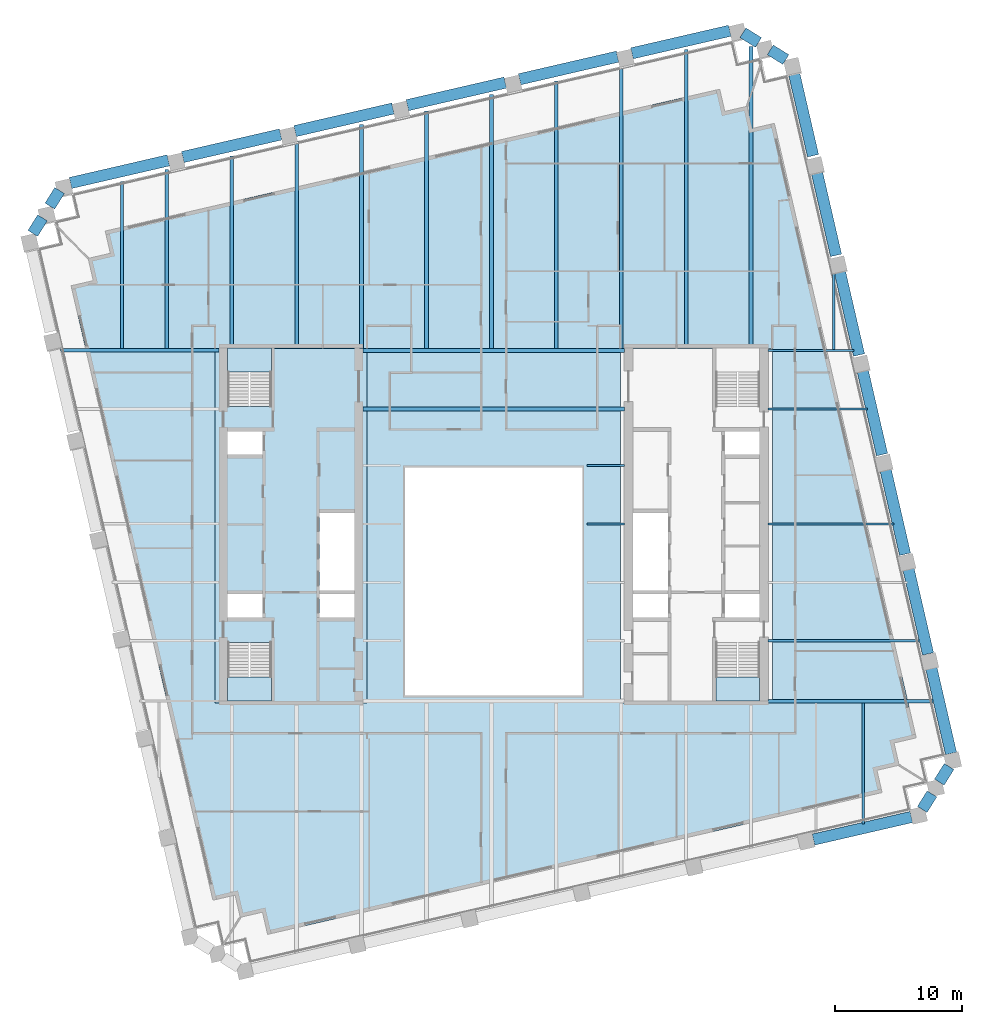
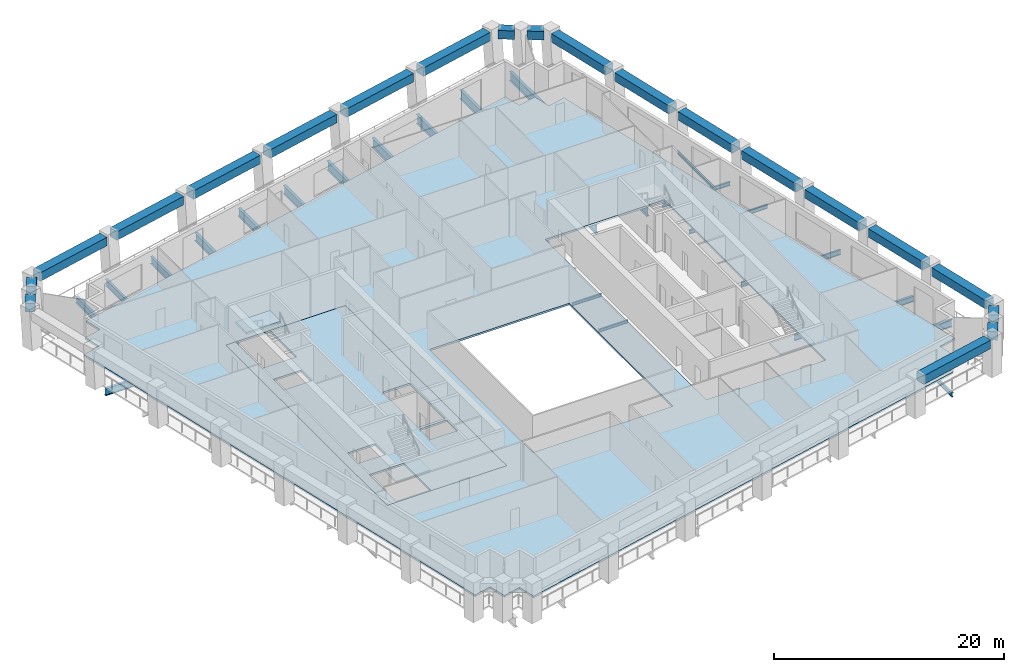
# One storey, part 2 of 11: 43 beams, 5 slabs, 3 elements without a shape of their own.
"""IFC4 building model written with IfcOpenShell, lengths in metres."""

import ifcopenshell
import ifcopenshell.guid

model = None  # the IFC model being written
_history = None  # IfcOwnerHistory: only IFC2X3 demands one
_inside = {}  # id of a spatial element -> (the spatial element, [elements in it])
_under = {}  # id of a project, library or spatial element -> (it, [spatial elements below it])
_declared = {}  # id of a project -> (the project, [libraries it declares])
_typed = {}  # id of a type object -> (the type object, [elements of that type])
_made_of = {}  # id of a material, layer set ... -> (it, [elements and type objects made of it])


def new_model(schema):
    """Start an empty IFC model of exactly this schema.

    Asked for "IFC4X3", IfcOpenShell would pick the latest addendum, in which some entities
    have other attributes; the version numbers below select the first issue.
    IFC2X3 requires an IfcOwnerHistory on every rooted entity: one is made here for all.
    """
    global model, _history
    if schema == "IFC4X3":
        model = ifcopenshell.file(schema_version=(4, 3, 0, 0))
    else:
        model = ifcopenshell.file(schema=schema)
    _inside.clear()
    _under.clear()
    _declared.clear()
    _typed.clear()
    _made_of.clear()
    _history = None
    if model.schema == "IFC2X3":
        org = make("IfcOrganization", Name="unknown")
        user = make(
            "IfcPersonAndOrganization",
            ThePerson=make("IfcPerson", FamilyName="unknown"),
            TheOrganization=org,
        )
        app = make(
            "IfcApplication",
            ApplicationDeveloper=org,
            Version="unknown",
            ApplicationFullName="unknown",
            ApplicationIdentifier="unknown",
        )
        _history = make(
            "IfcOwnerHistory",
            OwningUser=user,
            OwningApplication=app,
            ChangeAction="ADDED",
            CreationDate=0,
        )
    return model


def make(cls, **values):
    """One entity of the class cls with the attributes given. An attribute that is None is left unset."""
    return model.create_entity(
        cls, **{name: value for name, value in values.items() if value is not None}
    )


def rooted(cls, **values):
    """An entity with a GlobalId (a new one), such as an element, a storey or a relation."""
    return make(cls, GlobalId=ifcopenshell.guid.new(), OwnerHistory=_history, **values)


def si_unit(unit_type, name, prefix=None):
    """IfcSIUnit, for example si_unit("LENGTHUNIT", "METRE", prefix="MILLI")."""
    return make("IfcSIUnit", UnitType=unit_type, Prefix=prefix, Name=name)


def assignment(units):
    """IfcUnitAssignment: the units of a project."""
    return None if units is None else make("IfcUnitAssignment", Units=units)


def point(xyz):
    """IfcCartesianPoint."""
    return None if xyz is None else make("IfcCartesianPoint", Coordinates=xyz)


def direction(xyz):
    """IfcDirection."""
    return None if xyz is None else make("IfcDirection", DirectionRatios=xyz)


def frame(location, z_axis=None, x_axis=None):
    """IfcAxis2Placement3D, a coordinate frame: its origin and axes. An axis left out is left unset."""
    return make(
        "IfcAxis2Placement3D",
        Location=point(location),
        Axis=direction(z_axis),
        RefDirection=direction(x_axis),
    )


def frame_2d(location, x_axis=None):
    """IfcAxis2Placement2D, a coordinate frame in the plane: its origin and x axis."""
    return make(
        "IfcAxis2Placement2D", Location=point(location), RefDirection=direction(x_axis)
    )


def origin():
    """The frame at (0, 0, 0) with its axes left unset."""
    return frame((0.0, 0.0, 0.0))


def origin_2d():
    """The frame at (0, 0) in the plane with its x axis left unset."""
    return frame_2d((0.0, 0.0))


def place(relative_to, where):
    """IfcLocalPlacement: puts the frame where relative to a parent placement (None: the world)."""
    return make(
        "IfcLocalPlacement", PlacementRelTo=relative_to, RelativePlacement=where
    )


def context(
    kind, dimensions, precision=None, world=None, true_north=None, identifier=None
):
    """IfcGeometricRepresentationContext, for example the 3D "Model" context."""
    return make(
        "IfcGeometricRepresentationContext",
        ContextIdentifier=identifier,
        ContextType=kind,
        CoordinateSpaceDimension=dimensions,
        Precision=precision,
        WorldCoordinateSystem=world,
        TrueNorth=true_north,
    )


def subcontext(parent, identifier, kind, view, scale=None):
    """IfcGeometricRepresentationSubContext, for example "Body" below "Model"."""
    return make(
        "IfcGeometricRepresentationSubContext",
        ContextIdentifier=identifier,
        ContextType=kind,
        ParentContext=parent,
        TargetScale=scale,
        TargetView=view,
    )


def project(units=None, contexts=None):
    """IfcProject with its units and contexts."""
    return rooted(
        "IfcProject",
        Name="project",
        RepresentationContexts=contexts,
        UnitsInContext=assignment(units),
    )


def spatial(cls, under=None, at=None, **own):
    """A site, building, storey or space (cls), placed at a placement, below another one or the project."""
    s = rooted(cls, ObjectPlacement=at, **own)
    if under is not None:
        _under.setdefault(under.id(), (under, []))[1].append(s)
    return s


def polyline(points):
    """IfcPolyline through the points."""
    return make("IfcPolyline", Points=[point(p) for p in points])


def profile(cls, at=None, kind="AREA", **sizes):
    """A parametric profile (cls). Its sizes go by their IFC names, for example OverallWidth=200.0."""
    return make(cls, ProfileType=kind, Position=at, **sizes)


def rectangle(**sizes):
    """IfcRectangleProfileDef."""
    return profile("IfcRectangleProfileDef", **sizes)


def i_section(**sizes):
    """IfcIShapeProfileDef."""
    return profile("IfcIShapeProfileDef", **sizes)


def outline(outer, holes=None, kind="AREA"):
    """IfcArbitraryClosedProfileDef: a profile drawn as a closed curve; with holes, ...WithVoids."""
    if holes is None:
        return make("IfcArbitraryClosedProfileDef", ProfileType=kind, OuterCurve=outer)
    return make(
        "IfcArbitraryProfileDefWithVoids",
        ProfileType=kind,
        OuterCurve=outer,
        InnerCurves=holes,
    )


def extrude(swept, where, along, depth):
    """IfcExtrudedAreaSolid: the profile swept, set in the frame where, extruded along a direction by depth."""
    return make(
        "IfcExtrudedAreaSolid",
        SweptArea=swept,
        Position=where,
        ExtrudedDirection=direction(along),
        Depth=depth,
    )


def shape(context_of_items, identifier, shape_type, items):
    """IfcShapeRepresentation: the items that make up one representation, for example the "Body"."""
    return make(
        "IfcShapeRepresentation",
        ContextOfItems=context_of_items,
        RepresentationIdentifier=identifier,
        RepresentationType=shape_type,
        Items=items,
    )


def material(Name=None, Category=None):
    """IfcMaterial."""
    return make("IfcMaterial", Name=Name, Category=Category)


def layer(
    of_material, thickness, ventilated=None, Name=None, Category=None, Priority=None
):
    """IfcMaterialLayer: one layer of a wall or slab, of a material (None: an air gap)."""
    return make(
        "IfcMaterialLayer",
        Material=of_material,
        LayerThickness=thickness,
        IsVentilated=ventilated,
        Name=Name,
        Category=Category,
        Priority=Priority,
    )


def layer_set(layers, Name=None):
    """IfcMaterialLayerSet."""
    return make("IfcMaterialLayerSet", MaterialLayers=layers, LayerSetName=Name)


def material_profile(
    of_material, cross_section, Name=None, Category=None, Priority=None
):
    """IfcMaterialProfile: a cross section and its material."""
    return make(
        "IfcMaterialProfile",
        Name=Name,
        Material=of_material,
        Profile=cross_section,
        Priority=Priority,
        Category=Category,
    )


def profile_set(profiles, Name=None, composite=None):
    """IfcMaterialProfileSet."""
    return make(
        "IfcMaterialProfileSet",
        Name=Name,
        MaterialProfiles=profiles,
        CompositeProfile=composite,
    )


def made_of(thing, what):
    """Note that an element or type object is made of a material, layer set ...; save() writes the relation."""
    if what is not None:
        _made_of.setdefault(what.id(), (what, []))[1].append(thing)
    return thing


def type_object(cls, material=None, **own):
    """A type object (cls), such as IfcWallType, which elements share."""
    return made_of(rooted(cls, **own), material)


def element(
    cls,
    number,
    at=None,
    inside=None,
    cuts=None,
    type_object=None,
    material=None,
    context=None,
    identifier="Body",
    shape_type=None,
    held_by="IfcProductDefinitionShape",
    body=None,
    shapes=None,
    **own,
):
    """One element of the class cls, such as IfcWall. Its Tag is "e" and its number.

    at: its placement. inside: the storey or other place that contains it. cuts: it is an
    opening in that element (IfcRelVoidsElement). A single representation is given by context,
    identifier, shape_type and body (its items); several are given by shapes. held_by: the class
    of the entity that holds the representations. save() writes the other relations.
    """
    e = rooted(cls, Tag="e%d" % number, ObjectPlacement=at, **own)
    if body is not None:
        shapes = [shape(context, identifier, shape_type, body)]
    if shapes is not None:
        e.Representation = make(held_by, Representations=shapes)
    if inside is not None:
        _inside.setdefault(inside.id(), (inside, []))[1].append(e)
    if cuts is not None:
        rooted(
            "IfcRelVoidsElement", RelatingBuildingElement=cuts, RelatedOpeningElement=e
        )
    if type_object is not None:
        _typed.setdefault(type_object.id(), (type_object, []))[1].append(e)
    return made_of(e, material)


def aggregate(whole, parts):
    """IfcRelAggregates: a whole, such as a stair, and the parts it consists of."""
    return rooted("IfcRelAggregates", RelatingObject=whole, RelatedObjects=parts)


def save(model, path):
    """Write the relations noted so far, then the file.

    IfcRelAggregates (storeys below a building ...), IfcRelContainedInSpatialStructure (elements
    in a storey), IfcRelDefinesByType, IfcRelAssociatesMaterial and IfcRelDeclares: one each for
    every whole, place, type object, material and project.
    """
    for whole, parts in _under.values():
        aggregate(whole, parts)
    for where, things in _inside.values():
        rooted(
            "IfcRelContainedInSpatialStructure",
            RelatedElements=things,
            RelatingStructure=where,
        )
    for kind, things in _typed.values():
        rooted("IfcRelDefinesByType", RelatedObjects=things, RelatingType=kind)
    for what, things in _made_of.values():
        rooted("IfcRelAssociatesMaterial", RelatedObjects=things, RelatingMaterial=what)
    for by, libraries in _declared.values():
        rooted("IfcRelDeclares", RelatingContext=by, RelatedDefinitions=libraries)
    model.write(path)


model = new_model("IFC4")

# Units and contexts
model_context = context("Model", 3, precision=1e-05, world=origin(), true_north=direction((0.0, 1.0)))
body_context = subcontext(model_context, "Body", "Model", "MODEL_VIEW")
ifc_project = project(units=[si_unit("LENGTHUNIT", "METRE"), si_unit("AREAUNIT", "SQUARE_METRE"), si_unit("VOLUMEUNIT", "CUBIC_METRE"), si_unit("PLANEANGLEUNIT", "RADIAN"), si_unit("MASSUNIT", "GRAM", prefix="KILO")], contexts=[model_context])

# Site, building, storey
site_placement = place(None, origin())
site = spatial("IfcSite", under=ifc_project, at=site_placement, CompositionType="ELEMENT")
building_placement = place(site_placement, origin())
building = spatial("IfcBuilding", under=site, at=building_placement, Name="Ogive Exchange Tower", CompositionType="ELEMENT")
storey_placement = place(building_placement, frame((0.0, 0.0, 184.199951171875)))
storey = spatial("IfcBuildingStorey", under=building, at=storey_placement, Name="L40", CompositionType="ELEMENT", Elevation=184.199951171875)

# Beams
ifc_material_1 = material(Name="Steel ASTM A992 Gr50", Category="steel")
ifc_material_profile_1 = material_profile(ifc_material_1, i_section(OverallWidth=0.300048828125, OverallDepth=0.969970703125, WebThickness=0.01611328125, FlangeThickness=0.02099609375, at=origin_2d()), Name="W1000x222")
ifc_profile_set_1 = profile_set([ifc_material_profile_1], Name="Steel ASTM A992 Gr50")
beam_type_1 = type_object("IfcBeamType", Name="Floor beam W1000x222", PredefinedType="JOIST", material=ifc_profile_set_1)
beam_1_placement = place(storey_placement, frame((-0.17578125, 25.39501953125, -0.68505859375), z_axis=(0.0, 1.0, 0.0), x_axis=(-1.0, 0.0, 0.0)))
element("IfcBeam", 1, at=beam_1_placement, inside=storey, type_object=beam_type_1, Name="Floor beam", PredefinedType="JOIST", context=body_context, shape_type="SweptSolid", body=[
    extrude(i_section(OverallWidth=0.300048828125, OverallDepth=0.969970703125, WebThickness=0.01611328125, FlangeThickness=0.02099609375, at=origin_2d()), origin(), (0.0, 0.0, 1.0), 20.069580078125),
])
ifc_material_profile_2 = material_profile(ifc_material_1, i_section(OverallWidth=0.300048828125, OverallDepth=0.97998046875, WebThickness=0.0166015625, FlangeThickness=0.026123046875, at=origin_2d()), Name="W1000x249")
ifc_profile_set_2 = profile_set([ifc_material_profile_2], Name="Steel ASTM A992 Gr50")
beam_type_2 = type_object("IfcBeamType", Name="Floor beam W1000x249", PredefinedType="JOIST", material=ifc_profile_set_2)
beam_2_placement = place(storey_placement, frame((-10.320068359375, 20.62255859375, -0.68994140625), z_axis=(1.0, 0.0, 0.0), x_axis=(0.0, 1.0, 0.0)))
element("IfcBeam", 2, at=beam_2_placement, inside=storey, type_object=beam_type_2, Name="Floor beam", PredefinedType="JOIST", context=body_context, shape_type="SweptSolid", body=[
    extrude(i_section(OverallWidth=0.300048828125, OverallDepth=0.97998046875, WebThickness=0.0166015625, FlangeThickness=0.026123046875, at=origin_2d()), origin(), (0.0, 0.0, 1.0), 20.64013671875),
])
beam_3_placement = place(storey_placement, frame((4.95068359375, 25.39501953125, -0.68994140625), z_axis=(0.0, 1.0, 0.0), x_axis=(-1.0, 0.0, 0.0)))
element("IfcBeam", 3, at=beam_3_placement, inside=storey, type_object=beam_type_2, Name="Floor beam", PredefinedType="JOIST", context=body_context, shape_type="SweptSolid", body=[
    extrude(i_section(OverallWidth=0.300048828125, OverallDepth=0.97998046875, WebThickness=0.0166015625, FlangeThickness=0.026123046875, at=origin_2d()), origin(), (0.0, 0.0, 1.0), 21.10302734375),
])
beam_4_placement = place(storey_placement, frame((10.0771484375, 25.39501953125, -0.68994140625), z_axis=(0.0, 1.0, 0.0), x_axis=(-1.0, 0.0, 0.0)))
element("IfcBeam", 4, at=beam_4_placement, inside=storey, type_object=beam_type_2, Name="Floor beam", PredefinedType="JOIST", context=body_context, shape_type="SweptSolid", body=[
    extrude(i_section(OverallWidth=0.300048828125, OverallDepth=0.97998046875, WebThickness=0.0166015625, FlangeThickness=0.026123046875, at=origin_2d()), origin(), (0.0, 0.0, 1.0), 22.28662109375),
])
beam_5_placement = place(storey_placement, frame((15.20361328125, 25.39990234375, -0.68994140625), z_axis=(0.0, 1.0, 0.0), x_axis=(-1.0, 0.0, 0.0)))
element("IfcBeam", 5, at=beam_5_placement, inside=storey, type_object=beam_type_2, Name="Floor beam", PredefinedType="JOIST", context=body_context, shape_type="SweptSolid", body=[
    extrude(i_section(OverallWidth=0.300048828125, OverallDepth=0.97998046875, WebThickness=0.0166015625, FlangeThickness=0.026123046875, at=origin_2d()), origin(), (0.0, 0.0, 1.0), 23.615234375),
])
beam_6_placement = place(storey_placement, frame((20.330078125, 25.39990234375, -0.68994140625), z_axis=(0.0, 1.0, 0.0), x_axis=(-1.0, 0.0, 0.0)))
element("IfcBeam", 6, at=beam_6_placement, inside=storey, type_object=beam_type_2, Name="Floor beam", PredefinedType="JOIST", context=body_context, shape_type="SweptSolid", body=[
    extrude(i_section(OverallWidth=0.300048828125, OverallDepth=0.97998046875, WebThickness=0.0166015625, FlangeThickness=0.026123046875, at=origin_2d()), origin(), (0.0, 0.0, 1.0), 23.846435546875),
])
ifc_material_profile_3 = material_profile(ifc_material_1, i_section(OverallWidth=0.1650390625, OverallDepth=0.31005859375, WebThickness=0.005859375, FlangeThickness=0.009765625, at=origin_2d()), Name="W310x38.7")
ifc_profile_set_3 = profile_set([ifc_material_profile_3], Name="Steel ASTM A992 Gr50")
beam_type_3 = type_object("IfcBeamType", Name="Floor beam W310x38.7", PredefinedType="JOIST", material=ifc_profile_set_3)
beam_7_placement = place(storey_placement, frame((7.3701171875, 11.543701171875, -0.35498046875), z_axis=(1.0, 0.0, 0.0), x_axis=(0.0, 1.0, 0.0)))
element("IfcBeam", 7, at=beam_7_placement, inside=storey, type_object=beam_type_3, Name="Floor beam", PredefinedType="JOIST", context=body_context, shape_type="SweptSolid", body=[
    extrude(i_section(OverallWidth=0.1650390625, OverallDepth=0.31005859375, WebThickness=0.005859375, FlangeThickness=0.009765625, at=origin_2d()), origin(), (0.0, 0.0, 1.0), 2.949951171875),
])
beam_8_placement = place(storey_placement, frame((26.856689453125, 25.333984375, -0.35498046875), z_axis=(0.0, 1.0, 0.0), x_axis=(-1.0, 0.0, 0.0)))
element("IfcBeam", 8, at=beam_8_placement, inside=storey, type_object=beam_type_3, Name="Floor beam", PredefinedType="JOIST", context=body_context, shape_type="SweptSolid", body=[
    extrude(i_section(OverallWidth=0.1650390625, OverallDepth=0.31005859375, WebThickness=0.005859375, FlangeThickness=0.009765625, at=origin_2d()), origin(), (0.0, 0.0, 1.0), 6.2001953125),
])
ifc_material_profile_4 = material_profile(ifc_material_1, i_section(OverallWidth=0.177978515625, OverallDepth=0.406005859375, WebThickness=0.0078125, FlangeThickness=0.0126953125, at=origin_2d()), Name="W410x60")
ifc_profile_set_4 = profile_set([ifc_material_profile_4], Name="Steel ASTM A992 Gr50")
beam_type_4 = type_object("IfcBeamType", Name="Floor beam W410x60", PredefinedType="JOIST", material=ifc_profile_set_4)
beam_9_placement = place(storey_placement, frame((21.679931640625, 20.62255859375, -0.40283203125), z_axis=(1.0, 0.0, 0.0), x_axis=(0.0, 1.0, 0.0)))
element("IfcBeam", 9, at=beam_9_placement, inside=storey, type_object=beam_type_4, Name="Floor beam", PredefinedType="JOIST", context=body_context, shape_type="SweptSolid", body=[
    extrude(i_section(OverallWidth=0.177978515625, OverallDepth=0.406005859375, WebThickness=0.0078125, FlangeThickness=0.0126953125, at=origin_2d()), origin(), (0.0, 0.0, 1.0), 7.845703125),
])
ifc_material_profile_5 = material_profile(ifc_material_1, i_section(OverallWidth=0.19091796875, OverallDepth=0.45703125, WebThickness=0.009033203125, FlangeThickness=0.014404296875, at=origin_2d()), Name="W460x74")
ifc_profile_set_5 = profile_set([ifc_material_profile_5], Name="Steel ASTM A992 Gr50")
beam_type_5 = type_object("IfcBeamType", Name="Floor beam W460x74", PredefinedType="JOIST", material=ifc_profile_set_5)
beam_10_placement = place(storey_placement, frame((29.18310546875, -12.16357421875, -0.428466796875), z_axis=(0.0, 1.0, 0.0), x_axis=(-1.0, 0.0, 0.0)))
element("IfcBeam", 10, at=beam_10_placement, inside=storey, type_object=beam_type_5, Name="Floor beam", PredefinedType="JOIST", context=body_context, shape_type="SweptSolid", body=[
    extrude(i_section(OverallWidth=0.19091796875, OverallDepth=0.45703125, WebThickness=0.009033203125, FlangeThickness=0.014404296875, at=origin_2d()), origin(), (0.0, 0.0, 1.0), 9.5849609375),
])
ifc_material_profile_6 = material_profile(ifc_material_1, i_section(OverallWidth=0.1669921875, OverallDepth=0.535888671875, WebThickness=0.01025390625, FlangeThickness=0.0166015625, at=origin_2d()), Name="W530x85")
ifc_profile_set_6 = profile_set([ifc_material_profile_6], Name="Steel ASTM A992 Gr50")
beam_type_6 = type_object("IfcBeamType", Name="Floor beam W530x85", PredefinedType="JOIST", material=ifc_profile_set_6)
beam_11_placement = place(storey_placement, frame((21.679931640625, 11.543701171875, -0.468017578125), z_axis=(1.0, 0.0, 0.0), x_axis=(0.0, 1.0, 0.0)))
element("IfcBeam", 11, at=beam_11_placement, inside=storey, type_object=beam_type_6, Name="Floor beam", PredefinedType="JOIST", context=body_context, shape_type="SweptSolid", body=[
    extrude(i_section(OverallWidth=0.1669921875, OverallDepth=0.535888671875, WebThickness=0.01025390625, FlangeThickness=0.0166015625, at=origin_2d()), origin(), (0.0, 0.0, 1.0), 9.941650390625),
])
ifc_material_profile_7 = material_profile(ifc_material_1, i_section(OverallWidth=0.22802734375, OverallDepth=0.60205078125, WebThickness=0.010498046875, FlangeThickness=0.014892578125, at=origin_2d()), Name="W610x101")
ifc_profile_set_7 = profile_set([ifc_material_profile_7], Name="Steel ASTM A992 Gr50")
beam_type_7 = type_object("IfcBeamType", Name="Floor beam W610x101", PredefinedType="JOIST", material=ifc_profile_set_7)
beam_12_placement = place(storey_placement, frame((21.679931640625, 2.3212890625, -0.5009765625), z_axis=(1.0, 0.0, 0.0), x_axis=(0.0, 1.0, 0.0)))
element("IfcBeam", 12, at=beam_12_placement, inside=storey, type_object=beam_type_7, Name="Floor beam", PredefinedType="JOIST", context=body_context, shape_type="SweptSolid", body=[
    extrude(i_section(OverallWidth=0.22802734375, OverallDepth=0.60205078125, WebThickness=0.010498046875, FlangeThickness=0.014892578125, at=origin_2d()), origin(), (0.0, 0.0, 1.0), 11.9208984375),
])
ifc_material_profile_8 = material_profile(ifc_material_1, i_section(OverallWidth=0.25390625, OverallDepth=0.677978515625, WebThickness=0.01171875, FlangeThickness=0.016357421875, at=origin_2d()), Name="W690x125")
ifc_profile_set_8 = profile_set([ifc_material_profile_8], Name="Steel ASTM A992 Gr50")
beam_type_8 = type_object("IfcBeamType", Name="Floor beam W690x125", PredefinedType="JOIST", material=ifc_profile_set_8)
beam_13_placement = place(storey_placement, frame((-29.334716796875, 25.37841796875, -0.5390625), z_axis=(0.0, 1.0, 0.0), x_axis=(-1.0, 0.0, 0.0)))
element("IfcBeam", 13, at=beam_13_placement, inside=storey, type_object=beam_type_8, Name="Floor beam", PredefinedType="JOIST", context=body_context, shape_type="SweptSolid", body=[
    extrude(i_section(OverallWidth=0.25390625, OverallDepth=0.677978515625, WebThickness=0.01171875, FlangeThickness=0.016357421875, at=origin_2d()), origin(), (0.0, 0.0, 1.0), 13.204345703125),
])
beam_14_placement = place(storey_placement, frame((-25.80810546875, 25.37841796875, -0.5390625), z_axis=(0.0, 1.0, 0.0), x_axis=(-1.0, 0.0, 0.0)))
element("IfcBeam", 14, at=beam_14_placement, inside=storey, type_object=beam_type_8, Name="Floor beam", PredefinedType="JOIST", context=body_context, shape_type="SweptSolid", body=[
    extrude(i_section(OverallWidth=0.25390625, OverallDepth=0.677978515625, WebThickness=0.01171875, FlangeThickness=0.016357421875, at=origin_2d()), origin(), (0.0, 0.0, 1.0), 14.16845703125),
])
ifc_material_profile_9 = material_profile(ifc_material_1, i_section(OverallWidth=0.26708984375, OverallDepth=0.75390625, WebThickness=0.01318359375, FlangeThickness=0.01708984375, at=origin_2d()), Name="W760x147")
ifc_profile_set_9 = profile_set([ifc_material_profile_9], Name="Steel ASTM A992 Gr50")
beam_type_9 = type_object("IfcBeamType", Name="Floor beam W760x147", PredefinedType="JOIST", material=ifc_profile_set_9)
beam_15_placement = place(storey_placement, frame((-20.681640625, 25.39990234375, -0.576904296875), z_axis=(0.0, 1.0, 0.0), x_axis=(-1.0, 0.0, 0.0)))
element("IfcBeam", 15, at=beam_15_placement, inside=storey, type_object=beam_type_9, Name="Floor beam", PredefinedType="JOIST", context=body_context, shape_type="SweptSolid", body=[
    extrude(i_section(OverallWidth=0.26708984375, OverallDepth=0.75390625, WebThickness=0.01318359375, FlangeThickness=0.01708984375, at=origin_2d()), origin(), (0.0, 0.0, 1.0), 15.180419921875),
])
ifc_material_profile_10 = material_profile(ifc_material_1, i_section(OverallWidth=0.2919921875, OverallDepth=0.8359375, WebThickness=0.013916015625, FlangeThickness=0.018798828125, at=origin_2d()), Name="W840x176")
ifc_profile_set_10 = profile_set([ifc_material_profile_10], Name="Steel ASTM A992 Gr50")
beam_type_10 = type_object("IfcBeamType", Name="Floor beam W840x176", PredefinedType="JOIST", material=ifc_profile_set_10)
beam_16_placement = place(storey_placement, frame((-15.55517578125, 25.39990234375, -0.617919921875), z_axis=(0.0, 1.0, 0.0), x_axis=(-1.0, 0.0, 0.0)))
element("IfcBeam", 16, at=beam_16_placement, inside=storey, type_object=beam_type_10, Name="Floor beam", PredefinedType="JOIST", context=body_context, shape_type="SweptSolid", body=[
    extrude(i_section(OverallWidth=0.2919921875, OverallDepth=0.8359375, WebThickness=0.013916015625, FlangeThickness=0.018798828125, at=origin_2d()), origin(), (0.0, 0.0, 1.0), 16.364013671875),
])
ifc_material_profile_11 = material_profile(ifc_material_1, i_section(OverallWidth=0.2919921875, OverallDepth=0.845947265625, WebThickness=0.015380859375, FlangeThickness=0.0244140625, at=origin_2d()), Name="W840x210")
ifc_profile_set_11 = profile_set([ifc_material_profile_11], Name="Steel ASTM A992 Gr50")
beam_type_11 = type_object("IfcBeamType", Name="Floor beam W840x210", PredefinedType="JOIST", material=ifc_profile_set_11)
beam_17_placement = place(storey_placement, frame((-10.4287109375, 25.39990234375, -0.623046875), z_axis=(0.0, 1.0, 0.0), x_axis=(-1.0, 0.0, 0.0)))
element("IfcBeam", 17, at=beam_17_placement, inside=storey, type_object=beam_type_11, Name="Floor beam", PredefinedType="JOIST", context=body_context, shape_type="SweptSolid", body=[
    extrude(i_section(OverallWidth=0.2919921875, OverallDepth=0.845947265625, WebThickness=0.015380859375, FlangeThickness=0.0244140625, at=origin_2d()), origin(), (0.0, 0.0, 1.0), 17.697509765625),
])
ifc_material_profile_12 = material_profile(ifc_material_1, i_section(OverallWidth=0.304931640625, OverallDepth=0.904052734375, WebThickness=0.01513671875, FlangeThickness=0.02001953125, at=origin_2d()), Name="W920x201")
ifc_profile_set_12 = profile_set([ifc_material_profile_12], Name="Steel ASTM A992 Gr50")
beam_type_12 = type_object("IfcBeamType", Name="Floor beam W920x201", PredefinedType="JOIST", material=ifc_profile_set_12)
beam_18_placement = place(storey_placement, frame((-5.30224609375, 25.39501953125, -0.65185546875), z_axis=(0.0, 1.0, 0.0), x_axis=(-1.0, 0.0, 0.0)))
element("IfcBeam", 18, at=beam_18_placement, inside=storey, type_object=beam_type_12, Name="Floor beam", PredefinedType="JOIST", context=body_context, shape_type="SweptSolid", body=[
    extrude(i_section(OverallWidth=0.304931640625, OverallDepth=0.904052734375, WebThickness=0.01513671875, FlangeThickness=0.02001953125, at=origin_2d()), origin(), (0.0, 0.0, 1.0), 18.736083984375),
])
ifc_material_profile_13 = material_profile(ifc_material_1, i_section(OverallWidth=0.300048828125, OverallDepth=0.97998046875, WebThickness=0.0166015625, FlangeThickness=0.026123046875, at=origin_2d()), Name="W1000x249")
ifc_profile_set_13 = profile_set([ifc_material_profile_13], Name="Steel ASTM A992 Gr50")
beam_type_13 = type_object("IfcBeamType", Name="Girder W1000x249", PredefinedType="BEAM", material=ifc_profile_set_13)
beam_19_placement = place(storey_placement, frame((-10.320068359375, 25.2451171875, -0.68994140625), z_axis=(1.0, 0.0, 0.0), x_axis=(0.0, 1.0, 0.0)))
element("IfcBeam", 19, at=beam_19_placement, inside=storey, type_object=beam_type_13, Name="Header girder", PredefinedType="BEAM", context=body_context, shape_type="SweptSolid", body=[
    extrude(i_section(OverallWidth=0.300048828125, OverallDepth=0.97998046875, WebThickness=0.0166015625, FlangeThickness=0.026123046875, at=origin_2d()), origin(), (0.0, 0.0, 1.0), 20.64013671875),
])
ifc_material_profile_14 = material_profile(ifc_material_1, i_section(OverallWidth=0.1650390625, OverallDepth=0.31005859375, WebThickness=0.005859375, FlangeThickness=0.009765625, at=origin_2d()), Name="W310x38.7")
ifc_profile_set_14 = profile_set([ifc_material_profile_14], Name="Steel ASTM A992 Gr50")
beam_type_14 = type_object("IfcBeamType", Name="Girder W310x38.7", PredefinedType="BEAM", material=ifc_profile_set_14)
beam_20_placement = place(storey_placement, frame((7.3701171875, 16.155029296875, -0.35498046875), z_axis=(1.0, 0.0, 0.0), x_axis=(0.0, 1.0, 0.0)))
element("IfcBeam", 20, at=beam_20_placement, inside=storey, type_object=beam_type_14, Name="Trimmer girder", PredefinedType="BEAM", context=body_context, shape_type="SweptSolid", body=[
    extrude(i_section(OverallWidth=0.1650390625, OverallDepth=0.31005859375, WebThickness=0.005859375, FlangeThickness=0.009765625, at=origin_2d()), origin(), (0.0, 0.0, 1.0), 2.949951171875),
])
ifc_material_profile_15 = material_profile(ifc_material_1, i_section(OverallWidth=0.177978515625, OverallDepth=0.406005859375, WebThickness=0.0078125, FlangeThickness=0.0126953125, at=origin_2d()), Name="W410x60")
ifc_profile_set_15 = profile_set([ifc_material_profile_15], Name="Steel ASTM A992 Gr50")
beam_type_15 = type_object("IfcBeamType", Name="Girder W410x60", PredefinedType="BEAM", material=ifc_profile_set_15)
beam_21_placement = place(storey_placement, frame((21.679931640625, 25.2451171875, -0.40283203125), z_axis=(1.0, 0.0, 0.0), x_axis=(0.0, 1.0, 0.0)))
element("IfcBeam", 21, at=beam_21_placement, inside=storey, type_object=beam_type_15, Name="Header girder", PredefinedType="BEAM", context=body_context, shape_type="SweptSolid", body=[
    extrude(i_section(OverallWidth=0.177978515625, OverallDepth=0.406005859375, WebThickness=0.0078125, FlangeThickness=0.0126953125, at=origin_2d()), origin(), (0.0, 0.0, 1.0), 6.778564453125),
])
ifc_material_profile_16 = material_profile(ifc_material_1, i_section(OverallWidth=0.26708984375, OverallDepth=0.75390625, WebThickness=0.01318359375, FlangeThickness=0.01708984375, at=origin_2d()), Name="W760x147")
ifc_profile_set_16 = profile_set([ifc_material_profile_16], Name="Steel ASTM A992 Gr50")
beam_type_16 = type_object("IfcBeamType", Name="Girder W760x147", PredefinedType="BEAM", material=ifc_profile_set_16)
beam_22_placement = place(storey_placement, frame((21.679931640625, -2.445068359375, -0.576904296875), z_axis=(1.0, 0.0, 0.0), x_axis=(0.0, 1.0, 0.0)))
element("IfcBeam", 22, at=beam_22_placement, inside=storey, type_object=beam_type_16, Name="Header girder", PredefinedType="BEAM", context=body_context, shape_type="SweptSolid", body=[
    extrude(i_section(OverallWidth=0.26708984375, OverallDepth=0.75390625, WebThickness=0.01318359375, FlangeThickness=0.01708984375, at=origin_2d()), origin(), (0.0, 0.0, 1.0), 13.021484375),
])
beam_23_placement = place(storey_placement, frame((-34.193359375, 25.2451171875, -0.576904296875), z_axis=(1.0, 0.0, 0.0), x_axis=(0.0, 1.0, 0.0)))
element("IfcBeam", 23, at=beam_23_placement, inside=storey, type_object=beam_type_16, Name="Header girder", PredefinedType="BEAM", context=body_context, shape_type="SweptSolid", body=[
    extrude(i_section(OverallWidth=0.26708984375, OverallDepth=0.75390625, WebThickness=0.01318359375, FlangeThickness=0.01708984375, at=origin_2d()), origin(), (0.0, 0.0, 1.0), 12.513427734375),
])
ifc_material_2 = material(Name="Precast concrete C70/85 (limestone faced)", Category="masonry")
ifc_material_profile_17 = material_profile(ifc_material_2, rectangle(XDim=0.89990234375, YDim=0.89990234375, at=origin_2d()), Name="900 x 900")
ifc_profile_set_17 = profile_set([ifc_material_profile_17], Name="Precast concrete C70/85 (limestone faced)")
beam_type_17 = type_object("IfcBeamType", Name="Precast spandrel 900 x 900 C70/85", PredefinedType="SPANDREL", material=ifc_profile_set_17)
beam_24_placement = place(storey_placement, frame((25.249755859375, -13.383544921875, 3.5), z_axis=(0.974368388194, 0.224958316335, 0.0), x_axis=(-0.224958316335, 0.974368388194, 0.0)))
element("IfcBeam", 24, at=beam_24_placement, inside=storey, type_object=beam_type_17, Name="Spandrel 6", PredefinedType="SPANDREL", context=body_context, shape_type="SweptSolid", body=[
    extrude(rectangle(XDim=0.89990234375, YDim=0.89990234375, at=origin_2d()), origin(), (0.0, 0.0, 1.0), 7.93994140625),
])
for number, where, z_axis, x_axis, name in (
    (25, (33.842041015625, -11.001708984375, 3.5), (0.529877740036, 0.848074041941, 0.0), (-0.848074041941, 0.529877740036, 0.0), "Spandrel 7"),
    (26, (35.19091796875, -8.843017578125, 3.5), (0.529877740036, 0.848074041941, 0.0), (-0.848074041941, 0.529877740036, 0.0), "Spandrel 8"),
):
    element("IfcBeam", number, at=place(storey_placement, frame(where, z_axis=z_axis, x_axis=x_axis)), inside=storey, type_object=beam_type_17, Name=name, PredefinedType="SPANDREL", context=body_context, shape_type="SweptSolid", body=[
        extrude(rectangle(XDim=0.89990234375, YDim=0.89990234375, at=origin_2d()), origin(), (0.0, 0.0, 1.0), 1.448486328125),
    ])
beam_25_placement = place(storey_placement, frame((36.11865234375, -6.584228515625, 3.5), z_axis=(-0.224939454613, 0.974372742721, 0.0), x_axis=(-0.974372742721, -0.224939454613, 0.0)))
element("IfcBeam", 27, at=beam_25_placement, inside=storey, type_object=beam_type_17, Name="Spandrel 9", PredefinedType="SPANDREL", context=body_context, shape_type="SweptSolid", body=[
    extrude(rectangle(XDim=0.89990234375, YDim=0.89990234375, at=origin_2d()), origin(), (0.0, 0.0, 1.0), 6.913818359375),
])
beam_26_placement = place(storey_placement, frame((34.302490234375, 1.28271484375, 3.5), z_axis=(-0.224947194445, 0.974370955905, 0.0), x_axis=(-0.974370955905, -0.224947194445, 0.0)))
element("IfcBeam", 28, at=beam_26_placement, inside=storey, type_object=beam_type_17, Name="Spandrel 10", PredefinedType="SPANDREL", context=body_context, shape_type="SweptSolid", body=[
    extrude(rectangle(XDim=0.89990234375, YDim=0.89990234375, at=origin_2d()), origin(), (0.0, 0.0, 1.0), 6.91357421875),
])
for number, where, z_axis, x_axis, name in (
    (29, (32.486328125, 9.1494140625, 3.5), (-0.224939454613, 0.974372742721, 0.0), (-0.974372742721, -0.224939454613, 0.0), "Spandrel 11"),
    (30, (30.670166015625, 17.01611328125, 3.5), (-0.224939454613, 0.974372742721, 0.0), (-0.974372742721, -0.224939454613, 0.0), "Spandrel 12"),
    (31, (28.85400390625, 24.8828125, 3.5), (-0.224972979806, 0.974365002634, 0.0), (-0.974365002634, -0.224972979806, 0.0), "Spandrel 13"),
):
    element("IfcBeam", number, at=place(storey_placement, frame(where, z_axis=z_axis, x_axis=x_axis)), inside=storey, type_object=beam_type_17, Name=name, PredefinedType="SPANDREL", context=body_context, shape_type="SweptSolid", body=[
        extrude(rectangle(XDim=0.89990234375, YDim=0.89990234375, at=origin_2d()), origin(), (0.0, 0.0, 1.0), 6.913818359375),
    ])
beam_27_placement = place(storey_placement, frame((27.037841796875, 32.749755859375, 3.5), z_axis=(-0.224980720668, 0.974363215299, 0.0), x_axis=(-0.974363215299, -0.224980720668, 0.0)))
element("IfcBeam", 32, at=beam_27_placement, inside=storey, type_object=beam_type_17, Name="Spandrel 14", PredefinedType="SPANDREL", context=body_context, shape_type="SweptSolid", body=[
    extrude(rectangle(XDim=0.89990234375, YDim=0.89990234375, at=origin_2d()), origin(), (0.0, 0.0, 1.0), 6.91357421875),
])
beam_28_placement = place(storey_placement, frame((25.2216796875, 40.616455078125, 3.5), z_axis=(-0.224972979806, 0.974365002634, 0.0), x_axis=(-0.974365002634, -0.224972979806, 0.0)))
element("IfcBeam", 33, at=beam_28_placement, inside=storey, type_object=beam_type_17, Name="Spandrel 15", PredefinedType="SPANDREL", context=body_context, shape_type="SweptSolid", body=[
    extrude(rectangle(XDim=0.89990234375, YDim=0.89990234375, at=origin_2d()), origin(), (0.0, 0.0, 1.0), 6.913818359375),
])
for number, where, z_axis, x_axis, name in (
    (34, (23.07080078125, 48.208740234375, 3.5), (-0.848074041941, 0.529877740036, 0.0), (-0.529877740036, -0.848074041941, 0.0), "Spandrel 16"),
    (35, (20.911865234375, 49.557861328125, 3.5), (-0.848026711821, 0.529953484787, 0.0), (-0.529953484787, -0.848026711821, 0.0), "Spandrel 17"),
):
    element("IfcBeam", number, at=place(storey_placement, frame(where, z_axis=z_axis, x_axis=x_axis)), inside=storey, type_object=beam_type_17, Name=name, PredefinedType="SPANDREL", context=body_context, shape_type="SweptSolid", body=[
        extrude(rectangle(XDim=0.89990234375, YDim=0.89990234375, at=origin_2d()), origin(), (0.0, 0.0, 1.0), 1.448486328125),
    ])
for number, where, z_axis, x_axis, name in (
    (36, (18.6533203125, 50.485595703125, 3.5), (-0.974369944206, -0.224951576629, 0.0), (0.224951576629, -0.974369944206, 0.0), "Spandrel 18"),
    (37, (9.786376953125, 48.4384765625, 3.5), (-0.974369944206, -0.224951576629, 0.0), (0.224951576629, -0.974369944206, 0.0), "Spandrel 19"),
    (38, (0.919677734375, 46.3916015625, 3.5), (-0.974369944206, -0.224951576629, 0.0), (0.224951576629, -0.974369944206, 0.0), "Spandrel 20"),
    (39, (-7.947021484375, 44.344482421875, 3.5), (-0.974369944206, -0.224951576629, 0.0), (0.224951576629, -0.974369944206, 0.0), "Spandrel 21"),
):
    element("IfcBeam", number, at=place(storey_placement, frame(where, z_axis=z_axis, x_axis=x_axis)), inside=storey, type_object=beam_type_17, Name=name, PredefinedType="SPANDREL", context=body_context, shape_type="SweptSolid", body=[
        extrude(rectangle(XDim=0.89990234375, YDim=0.89990234375, at=origin_2d()), origin(), (0.0, 0.0, 1.0), 7.940185546875),
    ])
beam_29_placement = place(storey_placement, frame((-16.81396484375, 42.29736328125, 3.5), z_axis=(-0.974368388194, -0.224958316335, 0.0), x_axis=(0.224958316335, -0.974368388194, 0.0)))
element("IfcBeam", 40, at=beam_29_placement, inside=storey, type_object=beam_type_17, Name="Spandrel 22", PredefinedType="SPANDREL", context=body_context, shape_type="SweptSolid", body=[
    extrude(rectangle(XDim=0.89990234375, YDim=0.89990234375, at=origin_2d()), origin(), (0.0, 0.0, 1.0), 7.93994140625),
])
beam_30_placement = place(storey_placement, frame((-25.6806640625, 40.250244140625, 3.5), z_axis=(-0.974369944206, -0.224951576629, 0.0), x_axis=(0.224951576629, -0.974369944206, 0.0)))
element("IfcBeam", 41, at=beam_30_placement, inside=storey, type_object=beam_type_17, Name="Spandrel 23", PredefinedType="SPANDREL", context=body_context, shape_type="SweptSolid", body=[
    extrude(rectangle(XDim=0.89990234375, YDim=0.89990234375, at=origin_2d()), origin(), (0.0, 0.0, 1.0), 7.940185546875),
])
for number, where, z_axis, x_axis, name in (
    (42, (-34.27294921875, 37.86865234375, 3.5), (-0.529877740036, -0.848074041941, 0.0), (0.848074041941, -0.529877740036, 0.0), "Spandrel 24"),
    (43, (-35.621826171875, 35.709716796875, 3.5), (-0.529953484787, -0.848026711821, 0.0), (0.848026711821, -0.529953484787, 0.0), "Spandrel 25"),
):
    element("IfcBeam", number, at=place(storey_placement, frame(where, z_axis=z_axis, x_axis=x_axis)), inside=storey, type_object=beam_type_17, Name=name, PredefinedType="SPANDREL", context=body_context, shape_type="SweptSolid", body=[
        extrude(rectangle(XDim=0.89990234375, YDim=0.89990234375, at=origin_2d()), origin(), (0.0, 0.0, 1.0), 1.448486328125),
    ])

# Slabs
ifc_material_3 = material(Name="Concrete C50/60", Category="concrete")
ifc_layer_1 = layer(ifc_material_3, 0.199951171875)
ifc_layer_set_1 = layer_set([ifc_layer_1], Name="Composite floor slab 200")
slab_type_1 = type_object("IfcSlabType", Name="Composite floor slab 200", PredefinedType="FLOOR", material=ifc_layer_set_1)
slab_1_placement = place(storey_placement, frame((0.0, 0.0, -0.199951171875)))
element("IfcSlab", 44, at=slab_1_placement, inside=storey, type_object=slab_type_1, Name="Composite floor slab", PredefinedType="FLOOR", context=body_context, shape_type="SweptSolid", body=[
    extrude(outline(polyline([(-18.255615234375, -19.116943359375), (-20.009521484375, -19.52197265625), (-20.414306640625, -17.76806640625), (-22.168212890625, -18.1728515625), (-33.370849609375, 30.3505859375), (-31.616943359375, 30.755615234375), (-32.02197265625, 32.509521484375), (-30.26806640625, 32.914306640625), (-30.6728515625, 34.668212890625), (17.8505859375, 45.870849609375), (18.255615234375, 44.116943359375), (20.009521484375, 44.52197265625), (20.414306640625, 42.76806640625), (22.168212890625, 43.1728515625), (33.370849609375, -5.3505859375), (31.616943359375, -5.755615234375), (32.02197265625, -7.509521484375), (30.26806640625, -7.914306640625), (30.6728515625, -9.668212890625), (-17.8505859375, -20.870849609375), (-18.255615234375, -19.116943359375)]), holes=[polyline([(7.0, -2.0), (7.0, 16.0), (-7.0, 16.0), (-7.0, -2.0), (7.0, -2.0)]), polyline([(-22.0, -2.60009765625), (-10.0, -2.60009765625), (-10.0, 25.39990234375), (-22.0, 25.39990234375), (-22.0, -2.60009765625)]), polyline([(10.0, -2.60009765625), (22.0, -2.60009765625), (22.0, 25.39990234375), (10.0, 25.39990234375), (10.0, -2.60009765625)])]), origin(), (0.0, 0.0, 1.0), 0.199951171875),
])
ifc_material_4 = material(Name="Concrete C70/85", Category="concrete")
ifc_layer_2 = layer(ifc_material_4, 0.199951171875)
ifc_layer_set_2 = layer_set([ifc_layer_2], Name="Core floor slab 200")
slab_type_2 = type_object("IfcSlabType", Name="Core floor slab 200", PredefinedType="FLOOR", material=ifc_layer_set_2)
slab_2_placement = place(storey_placement, frame((0.0, 0.0, -0.199951171875)))
element("IfcSlab", 45, at=slab_2_placement, inside=storey, type_object=slab_type_2, Name="Core floor slab", PredefinedType="FLOOR", context=body_context, shape_type="SweptSolid", body=[
    extrude(outline(polyline([(-10.0, 25.39990234375), (-10.0, -2.60009765625), (-22.0, -2.60009765625), (-22.0, 25.39990234375), (-21.0, 25.39990234375), (-21.0, 20.803955078125), (-17.550048828125, 20.803955078125), (-17.550048828125, 25.39990234375), (-10.0, 25.39990234375)]), holes=[polyline([(-17.550048828125, 2.196044921875), (-21.0, 2.196044921875), (-21.0, -2.449951171875), (-17.550048828125, -2.449951171875), (-17.550048828125, 2.196044921875)]), polyline([(-18.25, 5.992919921875), (-21.0, 5.992919921875), (-21.0, 4.14990234375), (-18.25, 4.14990234375), (-18.25, 5.992919921875)]), polyline([(-11.0, 5.992919921875), (-13.75, 5.992919921875), (-13.75, 4.14990234375), (-11.0, 4.14990234375), (-11.0, 5.992919921875)]), polyline([(-13.75, 12.42138671875), (-13.75, 6.29296875), (-11.0, 6.29296875), (-11.0, 12.42138671875), (-13.75, 12.42138671875)]), polyline([(-18.25, 18.85009765625), (-21.0, 18.85009765625), (-21.0, 17.007080078125), (-18.25, 17.007080078125), (-18.25, 18.85009765625)])]), origin(), (0.0, 0.0, 1.0), 0.199951171875),
])

# Stair, slab
ifc_material_5 = material(Name="Concrete C40/50", Category="concrete")
stair_type = type_object("IfcStairType", Name="Exit stair 1650 wide", PredefinedType="HALF_TURN_STAIR", material=ifc_material_5)
stair_1_placement = place(storey_placement, origin())
stair_1 = element("IfcStair", 46, at=stair_1_placement, inside=storey, type_object=stair_type, Name="L40 exit stair ST1", PredefinedType="HALF_TURN_STAIR")
ifc_layer_3 = layer(ifc_material_5, 0.199951171875)
ifc_layer_set_3 = layer_set([ifc_layer_3], Name="Stair landing 200 slab")
slab_type_3 = type_object("IfcSlabType", Name="Stair landing 200 slab", PredefinedType="LANDING", material=ifc_layer_set_3)
slab_3_placement = place(storey_placement, frame((0.0, 0.0, 1.900146484375)))
slab_3 = element("IfcSlab", 47, at=slab_3_placement, type_object=slab_type_3, Name="ST1 landing 1", PredefinedType="LANDING", context=body_context, shape_type="SweptSolid", body=[
    extrude(outline(polyline([(-21.0, -0.550048828125), (-21.0, -2.449951171875), (-17.550048828125, -2.449951171875), (-17.550048828125, -0.550048828125), (-21.0, -0.550048828125)])), origin(), (0.0, 0.0, 1.0), 0.199951171875),
])
aggregate(stair_1, [slab_3])

stair_2_placement = place(storey_placement, origin())
stair_2 = element("IfcStair", 48, at=stair_2_placement, inside=storey, type_object=stair_type, Name="L40 exit stair ST2", PredefinedType="HALF_TURN_STAIR")
slab_4_placement = place(storey_placement, frame((0.0, 0.0, 1.900146484375)))
slab_4 = element("IfcSlab", 49, at=slab_4_placement, type_object=slab_type_3, Name="ST2 landing 1", PredefinedType="LANDING", context=body_context, shape_type="SweptSolid", body=[
    extrude(outline(polyline([(-17.550048828125, 23.550048828125), (-17.550048828125, 25.449951171875), (-21.0, 25.449951171875), (-21.0, 23.550048828125), (-17.550048828125, 23.550048828125)])), origin(), (0.0, 0.0, 1.0), 0.199951171875),
])
aggregate(stair_2, [slab_4])

stair_3_placement = place(storey_placement, origin())
stair_3 = element("IfcStair", 50, at=stair_3_placement, inside=storey, type_object=stair_type, Name="L40 exit stair ST3", PredefinedType="HALF_TURN_STAIR")
slab_5_placement = place(storey_placement, frame((0.0, 0.0, 1.900146484375)))
slab_5 = element("IfcSlab", 51, at=slab_5_placement, type_object=slab_type_3, Name="ST3 landing 1", PredefinedType="LANDING", context=body_context, shape_type="SweptSolid", body=[
    extrude(outline(polyline([(17.550048828125, -0.550048828125), (17.550048828125, -2.449951171875), (21.0, -2.449951171875), (21.0, -0.550048828125), (17.550048828125, -0.550048828125)])), origin(), (0.0, 0.0, 1.0), 0.199951171875),
])
aggregate(stair_3, [slab_5])

save(model, "model.ifc")
